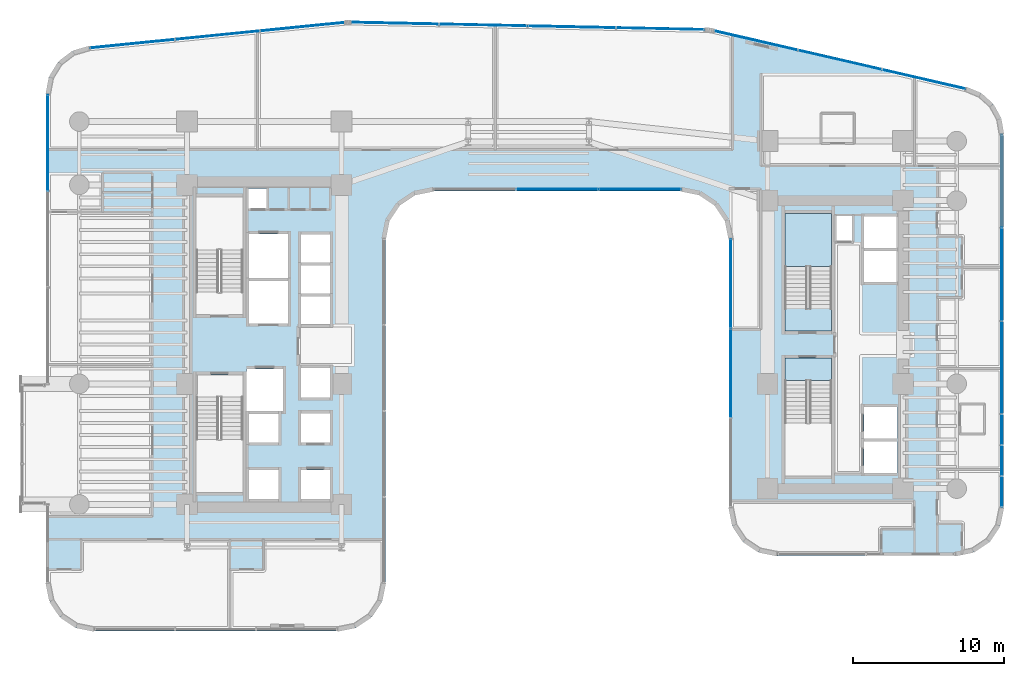
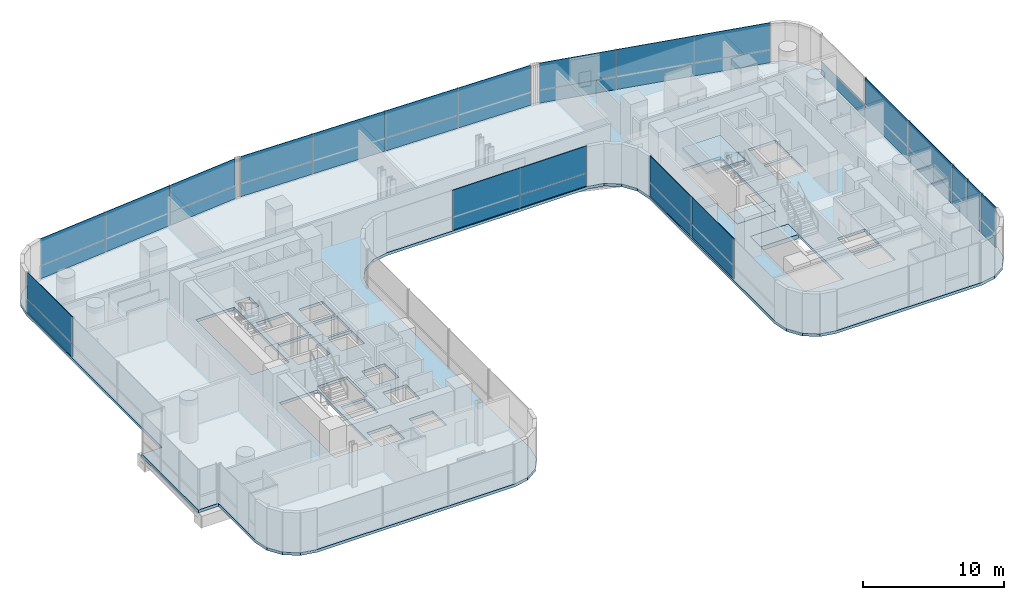
# One storey, part 29 of 41: 31 plates, 4 slabs, 8 elements without a shape of their own.
"""IFC4 building model written with IfcOpenShell, lengths in metres."""

from ifc_helpers import new_model, si_unit, direction, frame, origin, origin_2d, place, context, subcontext, project, spatial, polyline, rectangle, outline, extrude, source, transform, mapped, material, layer, layer_set, type_object, element, aggregate, save


model = new_model("IFC4")

# Units and contexts
model_context = context("Model", 3, precision=1e-05, world=origin(), true_north=direction((0.0, 1.0)))
body_context = subcontext(model_context, "Body", "Model", "MODEL_VIEW")
ifc_project = project(units=[si_unit("LENGTHUNIT", "METRE"), si_unit("AREAUNIT", "SQUARE_METRE"), si_unit("VOLUMEUNIT", "CUBIC_METRE"), si_unit("PLANEANGLEUNIT", "RADIAN"), si_unit("MASSUNIT", "GRAM", prefix="KILO")], contexts=[model_context])

# Site, building, storey
site_placement = place(None, origin())
site = spatial("IfcSite", under=ifc_project, at=site_placement, CompositionType="ELEMENT")
building_placement = place(site_placement, origin())
building = spatial("IfcBuilding", under=site, at=building_placement, Name="Valdorenza Pilgrim Sanctuary Tower", CompositionType="ELEMENT")
storey_placement = place(building_placement, frame((0.0, 0.0, 63.0)))
storey = spatial("IfcBuildingStorey", under=building, at=storey_placement, Name="L15", CompositionType="ELEMENT", Elevation=63.0)

# Slab
ifc_material_1 = material(Name="Concrete C40/50", Category="concrete")
ifc_layer_1 = layer(ifc_material_1, 0.239990234375, Name="Concrete C40/50")
ifc_layer_set_1 = layer_set([ifc_layer_1], Name="Concrete C40/50")
slab_type_1 = type_object("IfcSlabType", Name="SLAB-FLR-220", PredefinedType="FLOOR", material=ifc_layer_set_1)
slab_1_placement = place(storey_placement, frame((0.0, 0.0, -0.239990234375)))
element("IfcSlab", 1, at=slab_1_placement, inside=storey, type_object=slab_type_1, Name="L15 Structural Floor Slab 1", PredefinedType="FLOOR", context=body_context, shape_type="SweptSolid", body=[
    extrude(outline(polyline([(-33.64990234375, -2.60009765625), (-32.0, -2.60009765625), (-32.0, 16.60400390625), (-31.785888671875, 17.754638671875), (-31.172607421875, 18.751220703125), (-30.241943359375, 19.460693359375), (-29.118408203125, 19.7880859375), (-12.192138671875, 21.480712890625), (-11.999755859375, 21.494140625), (-11.806884765625, 21.49609375), (11.66943359375, 21.0068359375), (11.833984375, 20.999267578125), (11.997802734375, 20.983154296875), (12.160888671875, 20.95849609375), (12.322265625, 20.925537109375), (29.01953125, 17.072509765625), (30.00732421875, 16.660888671875), (30.80419921875, 15.946533203125), (31.321044921875, 15.009521484375), (31.5, 13.954345703125), (31.5, -10.800048828125), (31.25634765625, -12.024658203125), (30.562744140625, -13.062744140625), (29.524658203125, -13.75634765625), (28.300048828125, -14.0), (16.5, -14.0), (15.275390625, -13.75634765625), (14.2373046875, -13.062744140625), (13.543701171875, -12.024658203125), (13.300048828125, -10.800048828125), (13.300048828125, 7.0), (13.056396484375, 8.224609375), (12.36279296875, 9.2626953125), (11.32470703125, 9.956298828125), (10.10009765625, 10.199951171875), (-6.300048828125, 10.199951171875), (-7.524658203125, 9.956298828125), (-8.562744140625, 9.2626953125), (-9.25634765625, 8.224609375), (-9.5, 7.0), (-9.5, -15.800048828125), (-9.74365234375, -17.024658203125), (-10.437255859375, -18.062744140625), (-11.475341796875, -18.75634765625), (-12.699951171875, -19.0), (-28.800048828125, -19.0), (-30.024658203125, -18.75634765625), (-31.062744140625, -18.062744140625), (-31.75634765625, -17.024658203125), (-32.0, -15.800048828125), (-32.0, -10.60009765625), (-33.64990234375, -10.60009765625), (-33.64990234375, -2.60009765625)]), holes=[polyline([(-16.60009765625, -10.25), (-16.60009765625, -8.300048828125), (-18.550048828125, -8.300048828125), (-18.550048828125, -10.25), (-16.60009765625, -10.25)]), polyline([(-22.050048828125, -9.800048828125), (-18.93994140625, -9.800048828125), (-18.93994140625, -3.485107421875), (-18.93994140625, -2.0), (-22.050048828125, -2.0), (-22.050048828125, -3.485107421875), (-22.050048828125, -9.800048828125)]), polyline([(-18.550048828125, -6.5), (-16.60009765625, -6.5), (-16.60009765625, -4.60009765625), (-18.550048828125, -4.60009765625), (-18.550048828125, -6.5)]), polyline([(-13.179931640625, -6.5), (-13.179931640625, -4.550048828125), (-15.10009765625, -4.550048828125), (-15.10009765625, -6.5), (-13.179931640625, -6.5)]), polyline([(-18.719970703125, -4.39990234375), (-16.300048828125, -4.39990234375), (-16.300048828125, -1.60009765625), (-18.719970703125, -1.60009765625), (-18.719970703125, -4.39990234375)]), polyline([(-13.179931640625, -3.5), (-13.179931640625, -1.550048828125), (-15.10009765625, -1.550048828125), (-15.10009765625, -3.5), (-13.179931640625, -3.5)]), polyline([(-22.050048828125, 2.0), (-18.93994140625, 2.0), (-18.93994140625, 3.485107421875), (-18.93994140625, 9.800048828125), (-22.050048828125, 9.800048828125), (-22.050048828125, 3.485107421875), (-22.050048828125, 2.0)]), polyline([(-18.550048828125, 1.39990234375), (-15.949951171875, 1.39990234375), (-15.949951171875, 4.22509765625), (-18.550048828125, 4.22509765625), (-18.550048828125, 1.39990234375)]), polyline([(-15.949951171875, 4.425048828125), (-15.949951171875, 7.35009765625), (-18.550048828125, 7.35009765625), (-18.550048828125, 4.425048828125), (-15.949951171875, 4.425048828125)]), polyline([(-15.10009765625, 5.449951171875), (-13.179931640625, 5.449951171875), (-13.179931640625, 7.300048828125), (-15.10009765625, 7.300048828125), (-15.10009765625, 5.449951171875)]), polyline([(-17.360107421875, 9.030029296875), (-17.360107421875, 10.35009765625), (-18.570068359375, 10.35009765625), (-18.570068359375, 9.030029296875), (-17.360107421875, 9.030029296875)]), polyline([(-15.10009765625, -10.25), (-13.179931640625, -10.25), (-13.179931640625, -8.300048828125), (-15.10009765625, -8.300048828125), (-15.10009765625, -10.25)]), polyline([(22.25, -8.5), (24.47998046875, -8.5), (24.47998046875, -6.425048828125), (22.25, -6.425048828125), (22.25, -8.5)]), polyline([(17.0, -2.385009765625), (17.0, -8.699951171875), (20.110107421875, -8.699951171875), (20.110107421875, -2.385009765625), (20.110107421875, -0.89990234375), (17.0, -0.89990234375), (17.0, -2.385009765625)]), polyline([(22.25, -6.22509765625), (24.47998046875, -6.22509765625), (24.47998046875, -4.14990234375), (22.25, -4.14990234375), (22.25, -6.22509765625)]), polyline([(17.0, 0.89990234375), (20.110107421875, 0.89990234375), (20.110107421875, 2.385009765625), (20.110107421875, 8.699951171875), (17.0, 8.699951171875), (17.0, 2.385009765625), (17.0, 0.89990234375)]), polyline([(-15.10009765625, 1.35009765625), (-13.179931640625, 1.35009765625), (-13.179931640625, 3.199951171875), (-15.10009765625, 3.199951171875), (-15.10009765625, 1.35009765625)]), polyline([(-15.10009765625, 3.39990234375), (-13.179931640625, 3.39990234375), (-13.179931640625, 5.25), (-15.10009765625, 5.25), (-15.10009765625, 3.39990234375)]), polyline([(22.25, 4.14990234375), (24.47998046875, 4.14990234375), (24.47998046875, 6.22509765625), (22.25, 6.22509765625), (22.25, 4.14990234375)]), polyline([(22.25, 6.425048828125), (24.47998046875, 6.425048828125), (24.47998046875, 8.5), (22.25, 8.5), (22.25, 6.425048828125)]), polyline([(20.409912109375, 6.860107421875), (21.489990234375, 6.860107421875), (21.489990234375, 8.52001953125), (20.409912109375, 8.52001953125), (20.409912109375, 6.860107421875)])]), origin(), (0.0, 0.0, 1.0), 0.239990234375),
])

# Stair, slab
stair_type = type_object("IfcStairType", Name="STR-DOG-CORE", PredefinedType="HALF_TURN_STAIR", material=ifc_material_1)
stair_placement = place(storey_placement, origin())
stair = element("IfcStair", 2, at=stair_placement, inside=storey, type_object=stair_type, Name="L15 ST-B1", PredefinedType="HALF_TURN_STAIR")
ifc_layer_2 = layer(ifc_material_1, 0.199951171875, Name="Concrete C40/50")
ifc_layer_set_2 = layer_set([ifc_layer_2], Name="Concrete C40/50")
slab_type_2 = type_object("IfcSlabType", Name="SLAB-STL-200", PredefinedType="LANDING", material=ifc_layer_set_2)
slab_2_placement = place(storey_placement, frame((0.0, 0.0, 1.64990234375)))
slab_2 = element("IfcSlab", 3, at=slab_2_placement, type_object=slab_type_2, Name="ST-B1 landing 1", PredefinedType="LANDING", context=body_context, shape_type="SweptSolid", body=[
    extrude(outline(polyline([(20.110107421875, 5.179931640625), (20.110107421875, 8.699951171875), (17.0, 8.699951171875), (17.0, 5.179931640625), (20.110107421875, 5.179931640625)])), origin(), (0.0, 0.0, 1.0), 0.2001953125),
])
aggregate(stair, [slab_2])

# Slabs
ifc_material_2 = material(Name="Concrete C50/60", Category="concrete")
ifc_layer_3 = layer(ifc_material_2, 0.39990234375, Name="Concrete C50/60")
ifc_layer_set_3 = layer_set([ifc_layer_3], Name="Concrete C50/60")
slab_type_3 = type_object("IfcSlabType", Name="SLAB-TRF-400", PredefinedType="FLOOR", material=ifc_layer_set_3)
slab_3_placement = place(storey_placement, frame((0.0, 0.0, -0.360107421875)))
element("IfcSlab", 4, at=slab_3_placement, inside=storey, type_object=slab_type_3, Name="L15 ST-B1 Structural Stair Landing Bearing Slab", PredefinedType="FLOOR", context=body_context, shape_type="SweptSolid", body=[
    extrude(outline(polyline([(17.0, 0.89990234375), (20.110107421875, 0.89990234375), (20.110107421875, 2.385009765625), (17.0, 2.385009765625), (17.0, 0.89990234375)])), origin(), (0.0, 0.0, 1.0), 0.360107421875),
])
slab_4_placement = place(storey_placement, frame((0.0, 0.0, -0.360107421875)))
element("IfcSlab", 5, at=slab_4_placement, inside=storey, type_object=slab_type_3, Name="L15 ST-B2 Structural Stair Landing Bearing Slab", PredefinedType="FLOOR", context=body_context, shape_type="SweptSolid", body=[
    extrude(outline(polyline([(17.0, -2.385009765625), (20.110107421875, -2.385009765625), (20.110107421875, -0.89990234375), (17.0, -0.89990234375), (17.0, -2.385009765625)])), origin(), (0.0, 0.0, 1.0), 0.360107421875),
])

# Curtain wall, plates
ifc_material_3 = material(Name="Curtain-wall IGU glazing", Category="glass")
curtain_wall_type_1 = type_object("IfcCurtainWallType", Name="CW-SYS-02", PredefinedType="NOTDEFINED", material=ifc_material_3)
curtain_wall_1_placement = place(storey_placement, origin())
curtain_wall_1 = element("IfcCurtainWall", 6, at=curtain_wall_1_placement, inside=storey, type_object=curtain_wall_type_1, Name="L15 Curtain Wall CW-L15-1-1S2", PredefinedType="NOTDEFINED")
ifc_material_4 = material(Name="Honed travertine limestone", Category="masonry")
ifc_layer_4 = layer(ifc_material_4, 0.050048828125, Name="Honed travertine limestone")
ifc_layer_set_4 = layer_set([ifc_layer_4], Name="Honed travertine limestone")
plate_type_1 = type_object("IfcPlateType", Name="CW-SPN-TRV", PredefinedType="USERDEFINED", material=ifc_layer_set_4)
shared_shape_1 = source(origin(), body_context, "Body", "SweptSolid", [
    extrude(rectangle(XDim=6.3779296875, YDim=0.06005859375, at=origin_2d()), origin(), (0.0, 0.0, 1.0), 1.10009765625),
])
plate_1_placement = place(storey_placement, frame((-31.889892578125, 13.39501953125, 0.010009765625), z_axis=(0.0, 0.0, 1.0), x_axis=(0.0, 1.0, 0.0)))
plate_1 = element("IfcPlate", 7, at=plate_1_placement, type_object=plate_type_1, Name="CW-L15-1-1S2 Travertine Spandrel 3", ObjectType="SPANDREL", PredefinedType="USERDEFINED", context=body_context, shape_type="MappedRepresentation", body=[
    mapped(shared_shape_1, transform((0.0, 0.0, 0.0), x_axis=(1.0, 0.0, 0.0), y_axis=(0.0, 1.0, 0.0), z_axis=(0.0, 0.0, 1.0), scale=1.0)),
])
ifc_material_5 = material(Name="Ceramic-fritted low-E IGU glazing", Category="glass")
ifc_layer_5 = layer(ifc_material_5, 0.035888671875, Name="Ceramic-fritted low-E IGU glazing")
ifc_layer_set_5 = layer_set([ifc_layer_5], Name="Ceramic-fritted low-E IGU glazing")
plate_type_2 = type_object("IfcPlateType", Name="CW-GLZ-IGU", PredefinedType="USERDEFINED", material=ifc_layer_set_5)
shared_shape_2 = source(origin(), body_context, "Body", "SweptSolid", [
    extrude(rectangle(XDim=6.3779296875, YDim=0.050048828125, at=origin_2d()), origin(), (0.0, 0.0, 1.0), 2.320068359375),
])
plate_2_placement = place(storey_placement, frame((-31.889892578125, 13.39501953125, 1.1298828125), z_axis=(0.0, 0.0, 1.0), x_axis=(0.0, 1.0, 0.0)))
plate_2 = element("IfcPlate", 8, at=plate_2_placement, type_object=plate_type_2, Name="CW-L15-1-1S2 Facade Panel 3", ObjectType="GLAZING", PredefinedType="USERDEFINED", context=body_context, shape_type="MappedRepresentation", body=[
    mapped(shared_shape_2, transform((0.0, 0.0, 0.0), x_axis=(1.0, 0.0, 0.0), y_axis=(0.0, 1.0, 0.0), z_axis=(0.0, 0.0, 1.0), scale=1.0)),
])
aggregate(curtain_wall_1, [plate_1, plate_2])

curtain_wall_2_placement = place(storey_placement, origin())
curtain_wall_2 = element("IfcCurtainWall", 9, at=curtain_wall_2_placement, inside=storey, type_object=curtain_wall_type_1, Name="L15 Curtain Wall CW-L15-1-6", PredefinedType="NOTDEFINED")
shared_shape_3 = source(origin(), body_context, "Body", "SweptSolid", [
    extrude(rectangle(XDim=5.646484375, YDim=0.06005859375, at=origin_2d()), origin(), (0.0, 0.0, 1.0), 1.10009765625),
])
plate_3_placement = place(storey_placement, frame((-26.2783203125, 19.961669921875, 0.010009765625), z_axis=(0.0, 0.0, 1.0), x_axis=(0.995038220239, 0.099493418189, 0.0)))
plate_3 = element("IfcPlate", 10, at=plate_3_placement, type_object=plate_type_1, Name="CW-L15-1-6 Travertine Spandrel 1", ObjectType="SPANDREL", PredefinedType="USERDEFINED", context=body_context, shape_type="MappedRepresentation", body=[
    mapped(shared_shape_3, transform((0.0, 0.0, 0.0), x_axis=(1.0, 0.0, 0.0), y_axis=(0.0, 1.0, 0.0), z_axis=(0.0, 0.0, 1.0), scale=1.0)),
])
plate_4_placement = place(storey_placement, frame((-15.001220703125, 21.08935546875, 0.010009765625), z_axis=(0.0, 0.0, 1.0), x_axis=(0.995038220239, 0.099493418189, 0.0)))
plate_4 = element("IfcPlate", 11, at=plate_4_placement, type_object=plate_type_1, Name="CW-L15-1-6 Travertine Spandrel 3", ObjectType="SPANDREL", PredefinedType="USERDEFINED", context=body_context, shape_type="MappedRepresentation", body=[
    mapped(shared_shape_3, transform((0.0, 0.0, 0.0), x_axis=(1.0, 0.0, 0.0), y_axis=(0.0, 1.0, 0.0), z_axis=(0.0, 0.0, 1.0), scale=1.0)),
])
shared_shape_4 = source(origin(), body_context, "Body", "SweptSolid", [
    extrude(rectangle(XDim=5.646484375, YDim=0.050048828125, at=origin_2d()), origin(), (0.0, 0.0, 1.0), 2.320068359375),
])
plate_5_placement = place(storey_placement, frame((-26.2783203125, 19.961669921875, 1.1298828125), z_axis=(0.0, 0.0, 1.0), x_axis=(0.995038220239, 0.099493418189, 0.0)))
plate_5 = element("IfcPlate", 12, at=plate_5_placement, type_object=plate_type_2, Name="CW-L15-1-6 Facade Panel 1", ObjectType="GLAZING", PredefinedType="USERDEFINED", context=body_context, shape_type="MappedRepresentation", body=[
    mapped(shared_shape_4, transform((0.0, 0.0, 0.0), x_axis=(1.0, 0.0, 0.0), y_axis=(0.0, 1.0, 0.0), z_axis=(0.0, 0.0, 1.0), scale=1.0)),
])
plate_6_placement = place(storey_placement, frame((-15.001220703125, 21.08935546875, 1.1298828125), z_axis=(0.0, 0.0, 1.0), x_axis=(0.995038220239, 0.099493418189, 0.0)))
plate_6 = element("IfcPlate", 13, at=plate_6_placement, type_object=plate_type_2, Name="CW-L15-1-6 Facade Panel 3", ObjectType="GLAZING", PredefinedType="USERDEFINED", context=body_context, shape_type="MappedRepresentation", body=[
    mapped(shared_shape_4, transform((0.0, 0.0, 0.0), x_axis=(1.0, 0.0, 0.0), y_axis=(0.0, 1.0, 0.0), z_axis=(0.0, 0.0, 1.0), scale=1.0)),
])
shared_shape_5 = source(origin(), body_context, "Body", "SweptSolid", [
    extrude(rectangle(XDim=5.646484375, YDim=0.050048828125, at=origin_2d()), origin(), (0.0, 0.0, 1.0), 3.43994140625),
])
plate_7_placement = place(storey_placement, frame((-20.6396484375, 20.525634765625, 0.010009765625), z_axis=(0.0, 0.0, 1.0), x_axis=(0.995038220239, 0.099493418189, 0.0)))
plate_7 = element("IfcPlate", 14, at=plate_7_placement, type_object=plate_type_2, Name="CW-L15-1-6 Full-Height Facade Panel 2", ObjectType="GLAZING", PredefinedType="USERDEFINED", context=body_context, shape_type="MappedRepresentation", body=[
    mapped(shared_shape_5, transform((0.0, 0.0, 0.0), x_axis=(1.0, 0.0, 0.0), y_axis=(0.0, 1.0, 0.0), z_axis=(0.0, 0.0, 1.0), scale=1.0)),
])
aggregate(curtain_wall_2, [plate_3, plate_5, plate_7, plate_4, plate_6])

curtain_wall_3_placement = place(storey_placement, origin())
curtain_wall_3 = element("IfcCurtainWall", 15, at=curtain_wall_3_placement, inside=storey, type_object=curtain_wall_type_1, Name="L15 Curtain Wall CW-L15-1-11", PredefinedType="NOTDEFINED")
shared_shape_6 = source(origin(), body_context, "Body", "SweptSolid", [
    extrude(rectangle(XDim=5.849853515625, YDim=0.06005859375, at=origin_2d()), origin(), (0.0, 0.0, 1.0), 1.10009765625),
])
plate_8_placement = place(storey_placement, frame((-8.8740234375, 21.324951171875, 0.010009765625), z_axis=(0.0, 0.0, 1.0), x_axis=(0.999783234613, -0.020820273474, 0.0)))
plate_8 = element("IfcPlate", 16, at=plate_8_placement, type_object=plate_type_1, Name="CW-L15-1-11 Travertine Spandrel 1", ObjectType="SPANDREL", PredefinedType="USERDEFINED", context=body_context, shape_type="MappedRepresentation", body=[
    mapped(shared_shape_6, transform((0.0, 0.0, 0.0), x_axis=(1.0, 0.0, 0.0), y_axis=(0.0, 1.0, 0.0), z_axis=(0.0, 0.0, 1.0), scale=1.0)),
])
plate_9_placement = place(storey_placement, frame((2.86279296875, 21.080322265625, 0.010009765625), z_axis=(0.0, 0.0, 1.0), x_axis=(0.999783234613, -0.020820273474, 0.0)))
plate_9 = element("IfcPlate", 17, at=plate_9_placement, type_object=plate_type_1, Name="CW-L15-1-11 Travertine Spandrel 3", ObjectType="SPANDREL", PredefinedType="USERDEFINED", context=body_context, shape_type="MappedRepresentation", body=[
    mapped(shared_shape_6, transform((0.0, 0.0, 0.0), x_axis=(1.0, 0.0, 0.0), y_axis=(0.0, 1.0, 0.0), z_axis=(0.0, 0.0, 1.0), scale=1.0)),
])
shared_shape_7 = source(origin(), body_context, "Body", "SweptSolid", [
    extrude(rectangle(XDim=5.849853515625, YDim=0.050048828125, at=origin_2d()), origin(), (0.0, 0.0, 1.0), 2.320068359375),
])
plate_10_placement = place(storey_placement, frame((-8.8740234375, 21.324951171875, 1.1298828125), z_axis=(0.0, 0.0, 1.0), x_axis=(0.999783234613, -0.020820273474, 0.0)))
plate_10 = element("IfcPlate", 18, at=plate_10_placement, type_object=plate_type_2, Name="CW-L15-1-11 Facade Panel 1", ObjectType="GLAZING", PredefinedType="USERDEFINED", context=body_context, shape_type="MappedRepresentation", body=[
    mapped(shared_shape_7, transform((0.0, 0.0, 0.0), x_axis=(1.0, 0.0, 0.0), y_axis=(0.0, 1.0, 0.0), z_axis=(0.0, 0.0, 1.0), scale=1.0)),
])
plate_11_placement = place(storey_placement, frame((2.86279296875, 21.080322265625, 1.1298828125), z_axis=(0.0, 0.0, 1.0), x_axis=(0.999783234613, -0.020820273474, 0.0)))
plate_11 = element("IfcPlate", 19, at=plate_11_placement, type_object=plate_type_2, Name="CW-L15-1-11 Facade Panel 3", ObjectType="GLAZING", PredefinedType="USERDEFINED", context=body_context, shape_type="MappedRepresentation", body=[
    mapped(shared_shape_7, transform((0.0, 0.0, 0.0), x_axis=(1.0, 0.0, 0.0), y_axis=(0.0, 1.0, 0.0), z_axis=(0.0, 0.0, 1.0), scale=1.0)),
])
shared_shape_8 = source(origin(), body_context, "Body", "SweptSolid", [
    extrude(rectangle(XDim=5.849853515625, YDim=0.050048828125, at=origin_2d()), origin(), (0.0, 0.0, 1.0), 3.43994140625),
])
plate_12_placement = place(storey_placement, frame((-3.005615234375, 21.20263671875, 0.010009765625), z_axis=(0.0, 0.0, 1.0), x_axis=(0.999783234613, -0.020820273474, 0.0)))
plate_12 = element("IfcPlate", 20, at=plate_12_placement, type_object=plate_type_2, Name="CW-L15-1-11 Full-Height Facade Panel 2", ObjectType="GLAZING", PredefinedType="USERDEFINED", context=body_context, shape_type="MappedRepresentation", body=[
    mapped(shared_shape_8, transform((0.0, 0.0, 0.0), x_axis=(1.0, 0.0, 0.0), y_axis=(0.0, 1.0, 0.0), z_axis=(0.0, 0.0, 1.0), scale=1.0)),
])
plate_13_placement = place(storey_placement, frame((8.7314453125, 20.9580078125, 0.010009765625), z_axis=(0.0, 0.0, 1.0), x_axis=(0.999783234613, -0.020820273474, 0.0)))
plate_13 = element("IfcPlate", 21, at=plate_13_placement, type_object=plate_type_2, Name="CW-L15-1-11 Full-Height Facade Panel 4", ObjectType="GLAZING", PredefinedType="USERDEFINED", context=body_context, shape_type="MappedRepresentation", body=[
    mapped(shared_shape_8, transform((0.0, 0.0, 0.0), x_axis=(1.0, 0.0, 0.0), y_axis=(0.0, 1.0, 0.0), z_axis=(0.0, 0.0, 1.0), scale=1.0)),
])
aggregate(curtain_wall_3, [plate_8, plate_10, plate_12, plate_9, plate_11, plate_13])

curtain_wall_type_2 = type_object("IfcCurtainWallType", Name="CW-SYS-03", PredefinedType="NOTDEFINED", material=ifc_material_3)
curtain_wall_4_placement = place(storey_placement, origin())
curtain_wall_4 = element("IfcCurtainWall", 22, at=curtain_wall_4_placement, inside=storey, type_object=curtain_wall_type_2, Name="L15 Curtain Wall CW-L15-1-16", PredefinedType="NOTDEFINED")
shared_shape_9 = source(origin(), body_context, "Body", "SweptSolid", [
    extrude(rectangle(XDim=5.6884765625, YDim=0.06005859375, at=origin_2d()), origin(), (0.0, 0.0, 1.0), 1.10009765625),
])
plate_14_placement = place(storey_placement, frame((15.080078125, 20.17626953125, 0.010009765625), z_axis=(0.0, 0.0, 1.0), x_axis=(0.974389691758, -0.224866023659, 0.0)))
plate_14 = element("IfcPlate", 23, at=plate_14_placement, type_object=plate_type_1, Name="CW-L15-1-16 Travertine Spandrel 1", ObjectType="SPANDREL", PredefinedType="USERDEFINED", context=body_context, shape_type="MappedRepresentation", body=[
    mapped(shared_shape_9, transform((0.0, 0.0, 0.0), x_axis=(1.0, 0.0, 0.0), y_axis=(0.0, 1.0, 0.0), z_axis=(0.0, 0.0, 1.0), scale=1.0)),
])
plate_15_placement = place(storey_placement, frame((26.20458984375, 17.609130859375, 0.010009765625), z_axis=(0.0, 0.0, 1.0), x_axis=(0.974389691758, -0.224866023659, 0.0)))
plate_15 = element("IfcPlate", 24, at=plate_15_placement, type_object=plate_type_1, Name="CW-L15-1-16 Travertine Spandrel 3", ObjectType="SPANDREL", PredefinedType="USERDEFINED", context=body_context, shape_type="MappedRepresentation", body=[
    mapped(shared_shape_9, transform((0.0, 0.0, 0.0), x_axis=(1.0, 0.0, 0.0), y_axis=(0.0, 1.0, 0.0), z_axis=(0.0, 0.0, 1.0), scale=1.0)),
])
shared_shape_10 = source(origin(), body_context, "Body", "SweptSolid", [
    extrude(rectangle(XDim=5.6884765625, YDim=0.050048828125, at=origin_2d()), origin(), (0.0, 0.0, 1.0), 2.320068359375),
])
plate_16_placement = place(storey_placement, frame((15.080078125, 20.17626953125, 1.1298828125), z_axis=(0.0, 0.0, 1.0), x_axis=(0.974389691758, -0.224866023659, 0.0)))
plate_16 = element("IfcPlate", 25, at=plate_16_placement, type_object=plate_type_2, Name="CW-L15-1-16 Facade Panel 1", ObjectType="GLAZING", PredefinedType="USERDEFINED", context=body_context, shape_type="MappedRepresentation", body=[
    mapped(shared_shape_10, transform((0.0, 0.0, 0.0), x_axis=(1.0, 0.0, 0.0), y_axis=(0.0, 1.0, 0.0), z_axis=(0.0, 0.0, 1.0), scale=1.0)),
])
plate_17_placement = place(storey_placement, frame((26.20458984375, 17.609130859375, 1.1298828125), z_axis=(0.0, 0.0, 1.0), x_axis=(0.974389691758, -0.224866023659, 0.0)))
plate_17 = element("IfcPlate", 26, at=plate_17_placement, type_object=plate_type_2, Name="CW-L15-1-16 Facade Panel 3", ObjectType="GLAZING", PredefinedType="USERDEFINED", context=body_context, shape_type="MappedRepresentation", body=[
    mapped(shared_shape_10, transform((0.0, 0.0, 0.0), x_axis=(1.0, 0.0, 0.0), y_axis=(0.0, 1.0, 0.0), z_axis=(0.0, 0.0, 1.0), scale=1.0)),
])
shared_shape_11 = source(origin(), body_context, "Body", "SweptSolid", [
    extrude(rectangle(XDim=5.6884765625, YDim=0.050048828125, at=origin_2d()), origin(), (0.0, 0.0, 1.0), 3.43994140625),
])
plate_18_placement = place(storey_placement, frame((20.642333984375, 18.892578125, 0.010009765625), z_axis=(0.0, 0.0, 1.0), x_axis=(0.974389691758, -0.224866023659, 0.0)))
plate_18 = element("IfcPlate", 27, at=plate_18_placement, type_object=plate_type_2, Name="CW-L15-1-16 Full-Height Facade Panel 2", ObjectType="GLAZING", PredefinedType="USERDEFINED", context=body_context, shape_type="MappedRepresentation", body=[
    mapped(shared_shape_11, transform((0.0, 0.0, 0.0), x_axis=(1.0, 0.0, 0.0), y_axis=(0.0, 1.0, 0.0), z_axis=(0.0, 0.0, 1.0), scale=1.0)),
])
aggregate(curtain_wall_4, [plate_14, plate_16, plate_18, plate_15, plate_17])

curtain_wall_5_placement = place(storey_placement, origin())
curtain_wall_5 = element("IfcCurtainWall", 28, at=curtain_wall_5_placement, inside=storey, type_object=curtain_wall_type_2, Name="L15 Curtain Wall CW-L15-1-21", PredefinedType="NOTDEFINED")
shared_shape_12 = source(origin(), body_context, "Body", "SweptSolid", [
    extrude(rectangle(XDim=6.16357421875, YDim=0.06005859375, at=origin_2d()), origin(), (0.0, 0.0, 1.0), 1.10009765625),
])
plate_19_placement = place(storey_placement, frame((31.389892578125, 10.853271484375, 0.010009765625), z_axis=(0.0, 0.0, 1.0), x_axis=(0.0, -1.0, 0.0)))
plate_19 = element("IfcPlate", 29, at=plate_19_placement, type_object=plate_type_1, Name="CW-L15-1-21 Travertine Spandrel 1", ObjectType="SPANDREL", PredefinedType="USERDEFINED", context=body_context, shape_type="MappedRepresentation", body=[
    mapped(shared_shape_12, transform((0.0, 0.0, 0.0), x_axis=(1.0, 0.0, 0.0), y_axis=(0.0, 1.0, 0.0), z_axis=(0.0, 0.0, 1.0), scale=1.0)),
])
plate_20_placement = place(storey_placement, frame((31.389892578125, -1.513916015625, 0.010009765625), z_axis=(0.0, 0.0, 1.0), x_axis=(0.0, -1.0, 0.0)))
plate_20 = element("IfcPlate", 30, at=plate_20_placement, type_object=plate_type_1, Name="CW-L15-1-21 Travertine Spandrel 3", ObjectType="SPANDREL", PredefinedType="USERDEFINED", context=body_context, shape_type="MappedRepresentation", body=[
    mapped(shared_shape_12, transform((0.0, 0.0, 0.0), x_axis=(1.0, 0.0, 0.0), y_axis=(0.0, 1.0, 0.0), z_axis=(0.0, 0.0, 1.0), scale=1.0)),
])
shared_shape_13 = source(origin(), body_context, "Body", "SweptSolid", [
    extrude(rectangle(XDim=6.16357421875, YDim=0.050048828125, at=origin_2d()), origin(), (0.0, 0.0, 1.0), 2.320068359375),
])
plate_21_placement = place(storey_placement, frame((31.389892578125, -1.513916015625, 1.1298828125), z_axis=(0.0, 0.0, 1.0), x_axis=(0.0, -1.0, 0.0)))
plate_21 = element("IfcPlate", 31, at=plate_21_placement, type_object=plate_type_2, Name="CW-L15-1-21 Facade Panel 3", ObjectType="GLAZING", PredefinedType="USERDEFINED", context=body_context, shape_type="MappedRepresentation", body=[
    mapped(shared_shape_13, transform((0.0, 0.0, 0.0), x_axis=(1.0, 0.0, 0.0), y_axis=(0.0, 1.0, 0.0), z_axis=(0.0, 0.0, 1.0), scale=1.0)),
])
shared_shape_14 = source(origin(), body_context, "Body", "SweptSolid", [
    extrude(rectangle(XDim=6.16357421875, YDim=0.050048828125, at=origin_2d()), origin(), (0.0, 0.0, 1.0), 3.43994140625),
])
plate_22_placement = place(storey_placement, frame((31.389892578125, 4.669677734375, 0.010009765625), z_axis=(0.0, 0.0, 1.0), x_axis=(0.0, -1.0, 0.0)))
plate_22 = element("IfcPlate", 32, at=plate_22_placement, type_object=plate_type_2, Name="CW-L15-1-21 Full-Height Facade Panel 2", ObjectType="GLAZING", PredefinedType="USERDEFINED", context=body_context, shape_type="MappedRepresentation", body=[
    mapped(shared_shape_14, transform((0.0, 0.0, 0.0), x_axis=(1.0, 0.0, 0.0), y_axis=(0.0, 1.0, 0.0), z_axis=(0.0, 0.0, 1.0), scale=1.0)),
])

curtain_wall_6_placement = place(storey_placement, origin())
curtain_wall_6 = element("IfcCurtainWall", 33, at=curtain_wall_6_placement, inside=storey, type_object=curtain_wall_type_2, Name="L15 Curtain Wall CW-L15-1-31", PredefinedType="NOTDEFINED")
shared_shape_15 = source(origin(), body_context, "Body", "SweptSolid", [
    extrude(rectangle(XDim=5.913330078125, YDim=0.06005859375, at=origin_2d()), origin(), (0.0, 0.0, 1.0), 1.10009765625),
])
plate_23_placement = place(storey_placement, frame((13.409912109375, 4.044189453125, 0.010009765625), z_axis=(0.0, 0.0, 1.0), x_axis=(0.0, 1.0, 0.0)))
plate_23 = element("IfcPlate", 34, at=plate_23_placement, type_object=plate_type_1, Name="CW-L15-1-31 Travertine Spandrel 3", ObjectType="SPANDREL", PredefinedType="USERDEFINED", context=body_context, shape_type="MappedRepresentation", body=[
    mapped(shared_shape_15, transform((0.0, 0.0, 0.0), x_axis=(1.0, 0.0, 0.0), y_axis=(0.0, 1.0, 0.0), z_axis=(0.0, 0.0, 1.0), scale=1.0)),
])
shared_shape_16 = source(origin(), body_context, "Body", "SweptSolid", [
    extrude(rectangle(XDim=5.913330078125, YDim=0.050048828125, at=origin_2d()), origin(), (0.0, 0.0, 1.0), 2.320068359375),
])
plate_24_placement = place(storey_placement, frame((13.409912109375, 4.044189453125, 1.1298828125), z_axis=(0.0, 0.0, 1.0), x_axis=(0.0, 1.0, 0.0)))
plate_24 = element("IfcPlate", 35, at=plate_24_placement, type_object=plate_type_2, Name="CW-L15-1-31 Facade Panel 3", ObjectType="GLAZING", PredefinedType="USERDEFINED", context=body_context, shape_type="MappedRepresentation", body=[
    mapped(shared_shape_16, transform((0.0, 0.0, 0.0), x_axis=(1.0, 0.0, 0.0), y_axis=(0.0, 1.0, 0.0), z_axis=(0.0, 0.0, 1.0), scale=1.0)),
])
shared_shape_17 = source(origin(), body_context, "Body", "SweptSolid", [
    extrude(rectangle(XDim=5.913330078125, YDim=0.050048828125, at=origin_2d()), origin(), (0.0, 0.0, 1.0), 3.43994140625),
])
plate_25_placement = place(storey_placement, frame((13.409912109375, -1.88916015625, 0.010009765625), z_axis=(0.0, 0.0, 1.0), x_axis=(0.0, 1.0, 0.0)))
plate_25 = element("IfcPlate", 36, at=plate_25_placement, type_object=plate_type_2, Name="CW-L15-1-31 Full-Height Facade Panel 2", ObjectType="GLAZING", PredefinedType="USERDEFINED", context=body_context, shape_type="MappedRepresentation", body=[
    mapped(shared_shape_17, transform((0.0, 0.0, 0.0), x_axis=(1.0, 0.0, 0.0), y_axis=(0.0, 1.0, 0.0), z_axis=(0.0, 0.0, 1.0), scale=1.0)),
])
aggregate(curtain_wall_6, [plate_25, plate_23, plate_24])

curtain_wall_7_placement = place(storey_placement, origin())
curtain_wall_7 = element("IfcCurtainWall", 37, at=curtain_wall_7_placement, inside=storey, type_object=curtain_wall_type_1, Name="L15 Curtain Wall CW-L15-1-36", PredefinedType="NOTDEFINED")
shared_shape_18 = source(origin(), body_context, "Body", "SweptSolid", [
    extrude(rectangle(XDim=5.453857421875, YDim=0.06005859375, at=origin_2d()), origin(), (0.0, 0.0, 1.0), 1.10009765625),
])
plate_26_placement = place(storey_placement, frame((7.373779296875, 10.31005859375, 0.010009765625), z_axis=(0.0, 0.0, 1.0), x_axis=(-1.0, 0.0, 0.0)))
plate_26 = element("IfcPlate", 38, at=plate_26_placement, type_object=plate_type_1, Name="CW-L15-1-36 Travertine Spandrel 1", ObjectType="SPANDREL", PredefinedType="USERDEFINED", context=body_context, shape_type="MappedRepresentation", body=[
    mapped(shared_shape_18, transform((0.0, 0.0, 0.0), x_axis=(1.0, 0.0, 0.0), y_axis=(0.0, 1.0, 0.0), z_axis=(0.0, 0.0, 1.0), scale=1.0)),
])
shared_shape_19 = source(origin(), body_context, "Body", "SweptSolid", [
    extrude(rectangle(XDim=5.453857421875, YDim=0.050048828125, at=origin_2d()), origin(), (0.0, 0.0, 1.0), 2.320068359375),
])
plate_27_placement = place(storey_placement, frame((7.373779296875, 10.31005859375, 1.1298828125), z_axis=(0.0, 0.0, 1.0), x_axis=(-1.0, 0.0, 0.0)))
plate_27 = element("IfcPlate", 39, at=plate_27_placement, type_object=plate_type_2, Name="CW-L15-1-36 Facade Panel 1", ObjectType="GLAZING", PredefinedType="USERDEFINED", context=body_context, shape_type="MappedRepresentation", body=[
    mapped(shared_shape_19, transform((0.0, 0.0, 0.0), x_axis=(1.0, 0.0, 0.0), y_axis=(0.0, 1.0, 0.0), z_axis=(0.0, 0.0, 1.0), scale=1.0)),
])
shared_shape_20 = source(origin(), body_context, "Body", "SweptSolid", [
    extrude(rectangle(XDim=5.453857421875, YDim=0.050048828125, at=origin_2d()), origin(), (0.0, 0.0, 1.0), 3.43994140625),
])
plate_28_placement = place(storey_placement, frame((1.89990234375, 10.31005859375, 0.010009765625), z_axis=(0.0, 0.0, 1.0), x_axis=(-1.0, 0.0, 0.0)))
plate_28 = element("IfcPlate", 40, at=plate_28_placement, type_object=plate_type_2, Name="CW-L15-1-36 Full-Height Facade Panel 2", ObjectType="GLAZING", PredefinedType="USERDEFINED", context=body_context, shape_type="MappedRepresentation", body=[
    mapped(shared_shape_20, transform((0.0, 0.0, 0.0), x_axis=(1.0, 0.0, 0.0), y_axis=(0.0, 1.0, 0.0), z_axis=(0.0, 0.0, 1.0), scale=1.0)),
])
aggregate(curtain_wall_7, [plate_26, plate_27, plate_28])

# Plate
shared_shape_21 = source(origin(), body_context, "Body", "SweptSolid", [
    extrude(rectangle(XDim=2.034423828125, YDim=0.050048828125, at=origin_2d()), origin(), (0.0, 0.0, 1.0), 3.43994140625),
])
plate_29_placement = place(storey_placement, frame((31.389892578125, -5.642822265625, 0.010009765625), z_axis=(0.0, 0.0, 1.0), x_axis=(0.0, -1.0, 0.0)))
plate_29 = element("IfcPlate", 41, at=plate_29_placement, type_object=plate_type_2, Name="CW-L15-1-21 Full-Height Facade Panel 4 Sub 1", ObjectType="GLAZING", PredefinedType="USERDEFINED", context=body_context, shape_type="MappedRepresentation", body=[
    mapped(shared_shape_21, transform((0.0, 0.0, 0.0), x_axis=(1.0, 0.0, 0.0), y_axis=(0.0, 1.0, 0.0), z_axis=(0.0, 0.0, 1.0), scale=1.0)),
])

plate_30_placement = place(storey_placement, frame((31.389892578125, -7.697509765625, 0.010009765625), z_axis=(0.0, 0.0, 1.0), x_axis=(0.0, -1.0, 0.0)))
plate_30 = element("IfcPlate", 42, at=plate_30_placement, type_object=plate_type_2, Name="CW-L15-1-21 Full-Height Facade Panel 4 Sub 2", ObjectType="GLAZING", PredefinedType="USERDEFINED", context=body_context, shape_type="MappedRepresentation", body=[
    mapped(shared_shape_21, transform((0.0, 0.0, 0.0), x_axis=(1.0, 0.0, 0.0), y_axis=(0.0, 1.0, 0.0), z_axis=(0.0, 0.0, 1.0), scale=1.0)),
])

plate_31_placement = place(storey_placement, frame((31.389892578125, -9.751953125, 0.010009765625), z_axis=(0.0, 0.0, 1.0), x_axis=(0.0, -1.0, 0.0)))
plate_31 = element("IfcPlate", 43, at=plate_31_placement, type_object=plate_type_2, Name="CW-L15-1-21 Full-Height Facade Panel 4 Sub 3", ObjectType="GLAZING", PredefinedType="USERDEFINED", context=body_context, shape_type="MappedRepresentation", body=[
    mapped(shared_shape_21, transform((0.0, 0.0, 0.0), x_axis=(1.0, 0.0, 0.0), y_axis=(0.0, 1.0, 0.0), z_axis=(0.0, 0.0, 1.0), scale=1.0)),
])

aggregate(curtain_wall_5, [plate_19, plate_22, plate_20, plate_21, plate_29, plate_30, plate_31])

save(model, "model.ifc")
